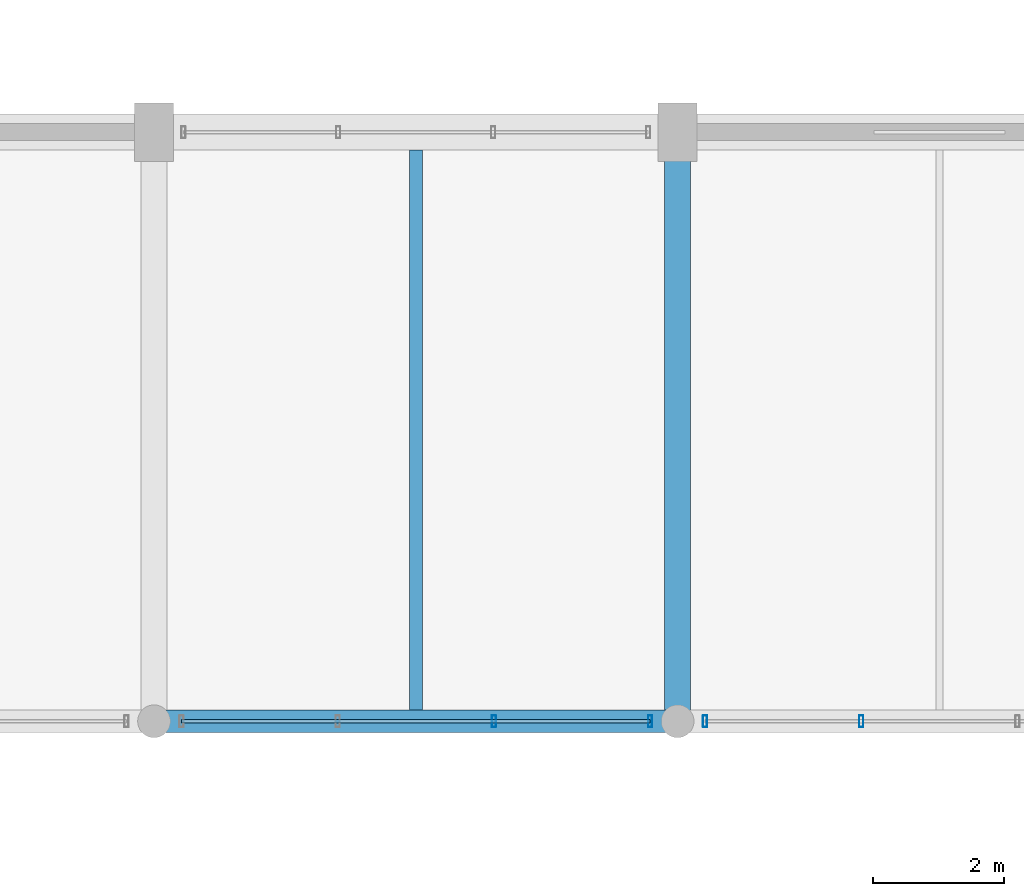
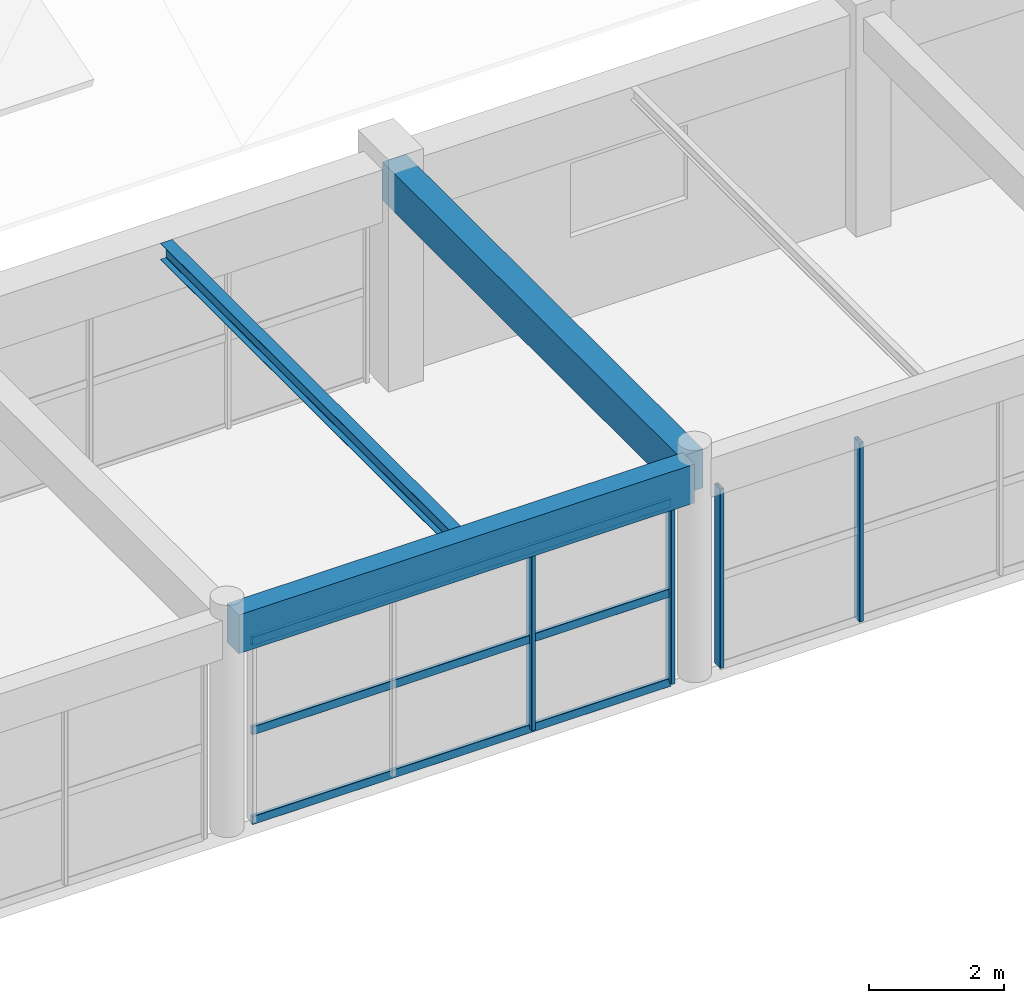
# One storey, part 20 of 63: 7 members, 3 beams, 2 elements without a shape of their own.
"""IFC4 building model written with IfcOpenShell, lengths in metres."""

import ifcopenshell
import ifcopenshell.guid

model = None  # the IFC model being written
_history = None  # IfcOwnerHistory: only IFC2X3 demands one
_inside = {}  # id of a spatial element -> (the spatial element, [elements in it])
_under = {}  # id of a project, library or spatial element -> (it, [spatial elements below it])
_declared = {}  # id of a project -> (the project, [libraries it declares])
_typed = {}  # id of a type object -> (the type object, [elements of that type])
_made_of = {}  # id of a material, layer set ... -> (it, [elements and type objects made of it])


def new_model(schema):
    """Start an empty IFC model of exactly this schema.

    Asked for "IFC4X3", IfcOpenShell would pick the latest addendum, in which some entities
    have other attributes; the version numbers below select the first issue.
    IFC2X3 requires an IfcOwnerHistory on every rooted entity: one is made here for all.
    """
    global model, _history
    if schema == "IFC4X3":
        model = ifcopenshell.file(schema_version=(4, 3, 0, 0))
    else:
        model = ifcopenshell.file(schema=schema)
    _inside.clear()
    _under.clear()
    _declared.clear()
    _typed.clear()
    _made_of.clear()
    _history = None
    if model.schema == "IFC2X3":
        org = make("IfcOrganization", Name="unknown")
        user = make(
            "IfcPersonAndOrganization",
            ThePerson=make("IfcPerson", FamilyName="unknown"),
            TheOrganization=org,
        )
        app = make(
            "IfcApplication",
            ApplicationDeveloper=org,
            Version="unknown",
            ApplicationFullName="unknown",
            ApplicationIdentifier="unknown",
        )
        _history = make(
            "IfcOwnerHistory",
            OwningUser=user,
            OwningApplication=app,
            ChangeAction="ADDED",
            CreationDate=0,
        )
    return model


def make(cls, **values):
    """One entity of the class cls with the attributes given. An attribute that is None is left unset."""
    return model.create_entity(
        cls, **{name: value for name, value in values.items() if value is not None}
    )


def rooted(cls, **values):
    """An entity with a GlobalId (a new one), such as an element, a storey or a relation."""
    return make(cls, GlobalId=ifcopenshell.guid.new(), OwnerHistory=_history, **values)


def si_unit(unit_type, name, prefix=None):
    """IfcSIUnit, for example si_unit("LENGTHUNIT", "METRE", prefix="MILLI")."""
    return make("IfcSIUnit", UnitType=unit_type, Prefix=prefix, Name=name)


def assignment(units):
    """IfcUnitAssignment: the units of a project."""
    return None if units is None else make("IfcUnitAssignment", Units=units)


def point(xyz):
    """IfcCartesianPoint."""
    return None if xyz is None else make("IfcCartesianPoint", Coordinates=xyz)


def direction(xyz):
    """IfcDirection."""
    return None if xyz is None else make("IfcDirection", DirectionRatios=xyz)


def frame(location, z_axis=None, x_axis=None):
    """IfcAxis2Placement3D, a coordinate frame: its origin and axes. An axis left out is left unset."""
    return make(
        "IfcAxis2Placement3D",
        Location=point(location),
        Axis=direction(z_axis),
        RefDirection=direction(x_axis),
    )


def frame_2d(location, x_axis=None):
    """IfcAxis2Placement2D, a coordinate frame in the plane: its origin and x axis."""
    return make(
        "IfcAxis2Placement2D", Location=point(location), RefDirection=direction(x_axis)
    )


def origin():
    """The frame at (0, 0, 0) with its axes left unset."""
    return frame((0.0, 0.0, 0.0))


def origin_2d():
    """The frame at (0, 0) in the plane with its x axis left unset."""
    return frame_2d((0.0, 0.0))


def place(relative_to, where):
    """IfcLocalPlacement: puts the frame where relative to a parent placement (None: the world)."""
    return make(
        "IfcLocalPlacement", PlacementRelTo=relative_to, RelativePlacement=where
    )


def context(
    kind, dimensions, precision=None, world=None, true_north=None, identifier=None
):
    """IfcGeometricRepresentationContext, for example the 3D "Model" context."""
    return make(
        "IfcGeometricRepresentationContext",
        ContextIdentifier=identifier,
        ContextType=kind,
        CoordinateSpaceDimension=dimensions,
        Precision=precision,
        WorldCoordinateSystem=world,
        TrueNorth=true_north,
    )


def subcontext(parent, identifier, kind, view, scale=None):
    """IfcGeometricRepresentationSubContext, for example "Body" below "Model"."""
    return make(
        "IfcGeometricRepresentationSubContext",
        ContextIdentifier=identifier,
        ContextType=kind,
        ParentContext=parent,
        TargetScale=scale,
        TargetView=view,
    )


def project(units=None, contexts=None):
    """IfcProject with its units and contexts."""
    return rooted(
        "IfcProject",
        Name="project",
        RepresentationContexts=contexts,
        UnitsInContext=assignment(units),
    )


def spatial(cls, under=None, at=None, **own):
    """A site, building, storey or space (cls), placed at a placement, below another one or the project."""
    s = rooted(cls, ObjectPlacement=at, **own)
    if under is not None:
        _under.setdefault(under.id(), (under, []))[1].append(s)
    return s


def profile(cls, at=None, kind="AREA", **sizes):
    """A parametric profile (cls). Its sizes go by their IFC names, for example OverallWidth=200.0."""
    return make(cls, ProfileType=kind, Position=at, **sizes)


def rectangle(**sizes):
    """IfcRectangleProfileDef."""
    return profile("IfcRectangleProfileDef", **sizes)


def hollow_rectangle(**sizes):
    """IfcRectangleHollowProfileDef."""
    return profile("IfcRectangleHollowProfileDef", **sizes)


def i_section(**sizes):
    """IfcIShapeProfileDef."""
    return profile("IfcIShapeProfileDef", **sizes)


def extrude(swept, where, along, depth):
    """IfcExtrudedAreaSolid: the profile swept, set in the frame where, extruded along a direction by depth."""
    return make(
        "IfcExtrudedAreaSolid",
        SweptArea=swept,
        Position=where,
        ExtrudedDirection=direction(along),
        Depth=depth,
    )


def shape(context_of_items, identifier, shape_type, items):
    """IfcShapeRepresentation: the items that make up one representation, for example the "Body"."""
    return make(
        "IfcShapeRepresentation",
        ContextOfItems=context_of_items,
        RepresentationIdentifier=identifier,
        RepresentationType=shape_type,
        Items=items,
    )


def material(Name=None, Category=None):
    """IfcMaterial."""
    return make("IfcMaterial", Name=Name, Category=Category)


def material_profile(
    of_material, cross_section, Name=None, Category=None, Priority=None
):
    """IfcMaterialProfile: a cross section and its material."""
    return make(
        "IfcMaterialProfile",
        Name=Name,
        Material=of_material,
        Profile=cross_section,
        Priority=Priority,
        Category=Category,
    )


def profile_set(profiles, Name=None, composite=None):
    """IfcMaterialProfileSet."""
    return make(
        "IfcMaterialProfileSet",
        Name=Name,
        MaterialProfiles=profiles,
        CompositeProfile=composite,
    )


def made_of(thing, what):
    """Note that an element or type object is made of a material, layer set ...; save() writes the relation."""
    if what is not None:
        _made_of.setdefault(what.id(), (what, []))[1].append(thing)
    return thing


def type_object(cls, material=None, **own):
    """A type object (cls), such as IfcWallType, which elements share."""
    return made_of(rooted(cls, **own), material)


def element(
    cls,
    number,
    at=None,
    inside=None,
    cuts=None,
    type_object=None,
    material=None,
    context=None,
    identifier="Body",
    shape_type=None,
    held_by="IfcProductDefinitionShape",
    body=None,
    shapes=None,
    **own,
):
    """One element of the class cls, such as IfcWall. Its Tag is "e" and its number.

    at: its placement. inside: the storey or other place that contains it. cuts: it is an
    opening in that element (IfcRelVoidsElement). A single representation is given by context,
    identifier, shape_type and body (its items); several are given by shapes. held_by: the class
    of the entity that holds the representations. save() writes the other relations.
    """
    e = rooted(cls, Tag="e%d" % number, ObjectPlacement=at, **own)
    if body is not None:
        shapes = [shape(context, identifier, shape_type, body)]
    if shapes is not None:
        e.Representation = make(held_by, Representations=shapes)
    if inside is not None:
        _inside.setdefault(inside.id(), (inside, []))[1].append(e)
    if cuts is not None:
        rooted(
            "IfcRelVoidsElement", RelatingBuildingElement=cuts, RelatedOpeningElement=e
        )
    if type_object is not None:
        _typed.setdefault(type_object.id(), (type_object, []))[1].append(e)
    return made_of(e, material)


def aggregate(whole, parts):
    """IfcRelAggregates: a whole, such as a stair, and the parts it consists of."""
    return rooted("IfcRelAggregates", RelatingObject=whole, RelatedObjects=parts)


def save(model, path):
    """Write the relations noted so far, then the file.

    IfcRelAggregates (storeys below a building ...), IfcRelContainedInSpatialStructure (elements
    in a storey), IfcRelDefinesByType, IfcRelAssociatesMaterial and IfcRelDeclares: one each for
    every whole, place, type object, material and project.
    """
    for whole, parts in _under.values():
        aggregate(whole, parts)
    for where, things in _inside.values():
        rooted(
            "IfcRelContainedInSpatialStructure",
            RelatedElements=things,
            RelatingStructure=where,
        )
    for kind, things in _typed.values():
        rooted("IfcRelDefinesByType", RelatedObjects=things, RelatingType=kind)
    for what, things in _made_of.values():
        rooted("IfcRelAssociatesMaterial", RelatedObjects=things, RelatingMaterial=what)
    for by, libraries in _declared.values():
        rooted("IfcRelDeclares", RelatingContext=by, RelatedDefinitions=libraries)
    model.write(path)


model = new_model("IFC4")

# Units and contexts
model_context = context("Model", 3, precision=1e-05, world=origin(), true_north=direction((0.0, 1.0)))
body_context = subcontext(model_context, "Body", "Model", "MODEL_VIEW")
ifc_project = project(units=[si_unit("LENGTHUNIT", "METRE"), si_unit("AREAUNIT", "SQUARE_METRE"), si_unit("VOLUMEUNIT", "CUBIC_METRE"), si_unit("PLANEANGLEUNIT", "RADIAN"), si_unit("MASSUNIT", "GRAM", prefix="KILO")], contexts=[model_context])

# Site, building, storey
site_placement = place(None, origin())
site = spatial("IfcSite", under=ifc_project, at=site_placement, CompositionType="ELEMENT")
building_placement = place(site_placement, origin())
building = spatial("IfcBuilding", under=site, at=building_placement, Name="Varnabhumi Central Station", CompositionType="ELEMENT")
storey_placement = place(building_placement, frame((0.0, 0.0, 20.39990234375)))
storey = spatial("IfcBuildingStorey", under=building, at=storey_placement, Name="L04", CompositionType="ELEMENT", Elevation=20.39990234375)

# Beams
ifc_material_1 = material(Name="Concrete M40", Category="concrete")
ifc_material_profile_1 = material_profile(ifc_material_1, rectangle(XDim=0.35009765625, YDim=0.699951171875, at=origin_2d()), Name="Concrete M40", Category="concrete")
ifc_profile_set_1 = profile_set([ifc_material_profile_1], Name="Concrete M40")
beam_type_1 = type_object("IfcBeamType", Name="BM-RC-350x700", PredefinedType="BEAM", material=ifc_profile_set_1)
beam_1_placement = place(storey_placement, frame((128.10009765625, 27.0, 3.570068359375), z_axis=(1.0, 0.0, 0.0), x_axis=(0.0, 1.0, 0.0)))
element("IfcBeam", 1, at=beam_1_placement, inside=storey, type_object=beam_type_1, Name="Beam L04-D:17-18", PredefinedType="BEAM", context=body_context, shape_type="SweptSolid", body=[
    extrude(rectangle(XDim=0.35009765625, YDim=0.699951171875, at=origin_2d()), origin(), (0.0, 0.0, 1.0), 7.7998046875),
])
ifc_material_profile_2 = material_profile(ifc_material_1, rectangle(XDim=0.39990234375, YDim=0.699951171875, at=origin_2d()), Name="Concrete M40", Category="concrete")
ifc_profile_set_2 = profile_set([ifc_material_profile_2], Name="Concrete M40")
beam_type_2 = type_object("IfcBeamType", Name="BM-RC-700x400", PredefinedType="BEAM", material=ifc_profile_set_2)
beam_2_placement = place(storey_placement, frame((136.0, 27.10009765625, 3.570068359375), z_axis=(0.0, 1.0, 0.0), x_axis=(-1.0, 0.0, 0.0)))
element("IfcBeam", 2, at=beam_2_placement, inside=storey, type_object=beam_type_2, Name="Beam L04-18:D-E", PredefinedType="BEAM", context=body_context, shape_type="SweptSolid", body=[
    extrude(rectangle(XDim=0.39990234375, YDim=0.699951171875, at=origin_2d()), origin(), (0.0, 0.0, 1.0), 8.7998046875),
])
ifc_material_2 = material(Name="Structural steel E350", Category="steel")
ifc_material_profile_3 = material_profile(ifc_material_2, i_section(OverallWidth=0.199951171875, OverallDepth=0.300048828125, WebThickness=0.00732421875, FlangeThickness=0.010009765625, FilletRadius=0.010986328125, at=origin_2d()), Name="Structural steel E350", Category="steel")
ifc_profile_set_3 = profile_set([ifc_material_profile_3], Name="Structural steel E350")
beam_type_3 = type_object("IfcBeamType", Name="BM-STL-ISWB300", PredefinedType="JOIST", material=ifc_profile_set_3)
beam_3_placement = place(storey_placement, frame((132.0, 27.175048828125, 3.77001953125), z_axis=(0.0, 1.0, 0.0), x_axis=(-1.0, 0.0, 0.0)))
element("IfcBeam", 3, at=beam_3_placement, inside=storey, type_object=beam_type_3, Name="Secondary Joist L04-17/18:D-E", PredefinedType="JOIST", context=body_context, shape_type="SweptSolid", body=[
    extrude(i_section(OverallWidth=0.199951171875, OverallDepth=0.300048828125, WebThickness=0.00732421875, FlangeThickness=0.010009765625, FilletRadius=0.010986328125, at=origin_2d()), origin(), (0.0, 0.0, 1.0), 8.550048828125),
])

# Curtain wall, members
ifc_material_3 = material(Name="Anodised aluminium 6063-T6", Category="aluminium")
curtain_wall_type = type_object("IfcCurtainWallType", Name="CW-PATIO-LOGGIA-L3", PredefinedType="NOTDEFINED", material=ifc_material_3)
curtain_wall_1_placement = place(storey_placement, origin())
curtain_wall_1 = element("IfcCurtainWall", 4, at=curtain_wall_1_placement, inside=storey, type_object=curtain_wall_type, Name="Curtain Wall CW-SP4N3", PredefinedType="NOTDEFINED")
ifc_material_profile_4 = material_profile(ifc_material_3, hollow_rectangle(XDim=0.06494140625, YDim=0.179931640625, WallThickness=0.00390625, InnerFilletRadius=0.001953125, OuterFilletRadius=0.006103515625, at=origin_2d()), Name="Anodised aluminium 6063-T6", Category="aluminium")
ifc_profile_set_4 = profile_set([ifc_material_profile_4], Name="Anodised aluminium 6063-T6")
member_type_1 = type_object("IfcMemberType", Name="CW-MUL-180", PredefinedType="MULLION", material=ifc_profile_set_4)
member_1_placement = place(storey_placement, frame((133.193359375, 27.0, 0.0), z_axis=(0.0, 0.0, 1.0), x_axis=(1.0, 0.0, 0.0)))
member_1 = element("IfcMember", 5, at=member_1_placement, type_object=member_type_1, Name="Curtain Wall Mullion CW-SP4N3-M3", PredefinedType="MULLION", context=body_context, shape_type="SweptSolid", body=[
    extrude(hollow_rectangle(XDim=0.06494140625, YDim=0.179931640625, WallThickness=0.00390625, InnerFilletRadius=0.001953125, OuterFilletRadius=0.006103515625, at=origin_2d()), origin(), (0.0, 0.0, 1.0), 3.239990234375),
])
member_2_placement = place(storey_placement, frame((135.580078125, 27.0, 0.0), z_axis=(0.0, 0.0, 1.0), x_axis=(1.0, 0.0, 0.0)))
member_2 = element("IfcMember", 6, at=member_2_placement, type_object=member_type_1, Name="Curtain Wall Mullion CW-SP4N3-M4", PredefinedType="MULLION", context=body_context, shape_type="SweptSolid", body=[
    extrude(hollow_rectangle(XDim=0.06494140625, YDim=0.179931640625, WallThickness=0.00390625, InnerFilletRadius=0.001953125, OuterFilletRadius=0.006103515625, at=origin_2d()), origin(), (0.0, 0.0, 1.0), 3.239990234375),
])

curtain_wall_2_placement = place(storey_placement, origin())
curtain_wall_2 = element("IfcCurtainWall", 7, at=curtain_wall_2_placement, inside=storey, type_object=curtain_wall_type, Name="Curtain Wall CW-SP4N4", PredefinedType="NOTDEFINED")
member_3_placement = place(storey_placement, frame((136.419921875, 27.0, 0.0), z_axis=(0.0, 0.0, 1.0), x_axis=(1.0, 0.0, 0.0)))
member_3 = element("IfcMember", 8, at=member_3_placement, type_object=member_type_1, Name="Curtain Wall Mullion CW-SP4N4-M1", PredefinedType="MULLION", context=body_context, shape_type="SweptSolid", body=[
    extrude(hollow_rectangle(XDim=0.06494140625, YDim=0.179931640625, WallThickness=0.00390625, InnerFilletRadius=0.001953125, OuterFilletRadius=0.006103515625, at=origin_2d()), origin(), (0.0, 0.0, 1.0), 3.239990234375),
])
member_4_placement = place(storey_placement, frame((138.806640625, 27.0, 0.0), z_axis=(0.0, 0.0, 1.0), x_axis=(1.0, 0.0, 0.0)))
member_4 = element("IfcMember", 9, at=member_4_placement, type_object=member_type_1, Name="Curtain Wall Mullion CW-SP4N4-M2", PredefinedType="MULLION", context=body_context, shape_type="SweptSolid", body=[
    extrude(hollow_rectangle(XDim=0.06494140625, YDim=0.179931640625, WallThickness=0.00390625, InnerFilletRadius=0.001953125, OuterFilletRadius=0.006103515625, at=origin_2d()), origin(), (0.0, 0.0, 1.0), 3.239990234375),
])
aggregate(curtain_wall_2, [member_3, member_4])

# Member
ifc_material_profile_5 = material_profile(ifc_material_3, hollow_rectangle(XDim=0.06005859375, YDim=0.14990234375, WallThickness=0.00390625, InnerFilletRadius=0.001953125, OuterFilletRadius=0.006103515625, at=origin_2d()), Name="Anodised aluminium 6063-T6", Category="aluminium")
ifc_profile_set_5 = profile_set([ifc_material_profile_5], Name="Anodised aluminium 6063-T6")
member_type_2 = type_object("IfcMemberType", Name="CW-TR-150", PredefinedType="USERDEFINED", material=ifc_profile_set_5)
member_5_placement = place(storey_placement, frame((128.419921875, 27.0, 0.0), z_axis=(1.0, 0.0, 0.0), x_axis=(0.0, 1.0, 0.0)))
member_5 = element("IfcMember", 10, at=member_5_placement, type_object=member_type_2, Name="Curtain Wall Transom CW-SP4N3-T1", ObjectType="TRANSOM", PredefinedType="USERDEFINED", context=body_context, shape_type="SweptSolid", body=[
    extrude(hollow_rectangle(XDim=0.06005859375, YDim=0.14990234375, WallThickness=0.00390625, InnerFilletRadius=0.001953125, OuterFilletRadius=0.006103515625, at=origin_2d()), origin(), (0.0, 0.0, 1.0), 7.16015625),
])

member_6_placement = place(storey_placement, frame((128.419921875, 27.0, 1.6201171875), z_axis=(1.0, 0.0, 0.0), x_axis=(0.0, 1.0, 0.0)))
member_6 = element("IfcMember", 11, at=member_6_placement, type_object=member_type_2, Name="Curtain Wall Transom CW-SP4N3-T2", ObjectType="TRANSOM", PredefinedType="USERDEFINED", context=body_context, shape_type="SweptSolid", body=[
    extrude(hollow_rectangle(XDim=0.06005859375, YDim=0.14990234375, WallThickness=0.00390625, InnerFilletRadius=0.001953125, OuterFilletRadius=0.006103515625, at=origin_2d()), origin(), (0.0, 0.0, 1.0), 7.16015625),
])

member_7_placement = place(storey_placement, frame((128.419921875, 27.0, 3.239990234375), z_axis=(1.0, 0.0, 0.0), x_axis=(0.0, 1.0, 0.0)))
member_7 = element("IfcMember", 12, at=member_7_placement, type_object=member_type_2, Name="Curtain Wall Transom CW-SP4N3-T3", ObjectType="TRANSOM", PredefinedType="USERDEFINED", context=body_context, shape_type="SweptSolid", body=[
    extrude(hollow_rectangle(XDim=0.06005859375, YDim=0.14990234375, WallThickness=0.00390625, InnerFilletRadius=0.001953125, OuterFilletRadius=0.006103515625, at=origin_2d()), origin(), (0.0, 0.0, 1.0), 7.16015625),
])

aggregate(curtain_wall_1, [member_1, member_2, member_5, member_6, member_7])

save(model, "model.ifc")
